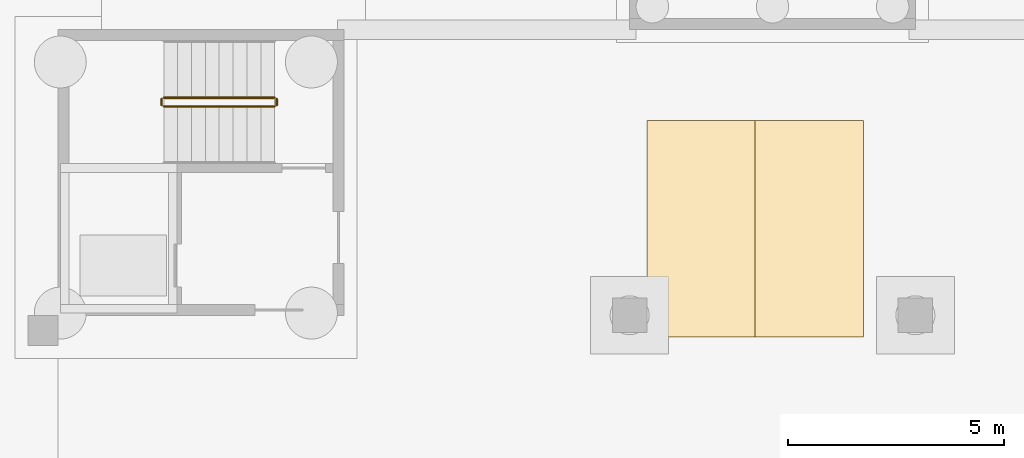
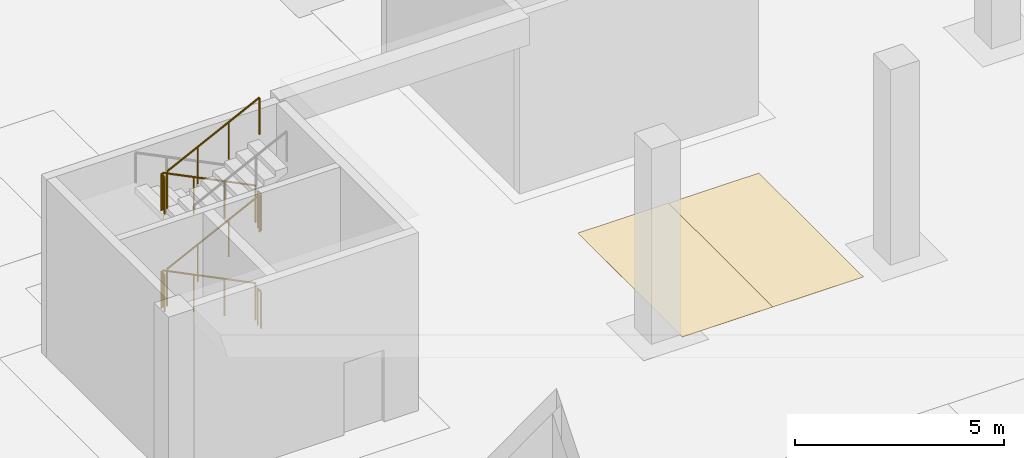
# One storey, part 29 of 38: 8 railings, 2 coverings.
"""IFC4 building model written with IfcOpenShell, lengths in metres."""

from ifc_helpers import new_model, si_unit, direction, frame, origin, origin_2d, place, context, subcontext, project, spatial, polyline, circle, outline, extrude, material, layer, layer_set, type_object, element, save


model = new_model("IFC4")

# Units and contexts
model_context = context("Model", 3, precision=1e-05, world=origin(), true_north=direction((0.0, 1.0)))
body_context = subcontext(model_context, "Body", "Model", "MODEL_VIEW")
ifc_project = project(units=[si_unit("LENGTHUNIT", "METRE"), si_unit("AREAUNIT", "SQUARE_METRE"), si_unit("VOLUMEUNIT", "CUBIC_METRE"), si_unit("PLANEANGLEUNIT", "RADIAN"), si_unit("MASSUNIT", "GRAM", prefix="KILO")], contexts=[model_context])

# Site, building, storey
site_placement = place(None, origin())
site = spatial("IfcSite", under=ifc_project, at=site_placement, CompositionType="ELEMENT")
building_placement = place(site_placement, origin())
building = spatial("IfcBuilding", under=site, at=building_placement, Name="Lantern Court Research Institute", CompositionType="ELEMENT")
storey_placement = place(building_placement, frame((0.0, 0.0, -5.699951171875)))
storey = spatial("IfcBuildingStorey", under=building, at=storey_placement, Name="B1", CompositionType="ELEMENT", Elevation=-5.699951171875)

# Coverings
ifc_material_1 = material(Name="Thermoplastic road marking paint")
ifc_layer = layer(ifc_material_1, 0.0029296875)
ifc_layer_set = layer_set([ifc_layer], Name="Thermoplastic road marking paint")
covering_type = type_object("IfcCoveringType", Name="Parking bay marking", PredefinedType="FLOORING", material=ifc_layer_set)
covering_1_placement = place(storey_placement, origin())
element("IfcCovering", 1, at=covering_1_placement, inside=storey, type_object=covering_type, Name="Parking bay marking 078", PredefinedType="FLOORING", context=body_context, shape_type="SweptSolid", body=[
    extrude(outline(polyline([(53.199951171875, 49.0), (55.699951171875, 49.0), (55.699951171875, 54.0), (53.199951171875, 54.0), (53.199951171875, 49.0)])), origin(), (0.0, 0.0, 1.0), 0.0029296875),
])
covering_2_placement = place(storey_placement, origin())
element("IfcCovering", 2, at=covering_2_placement, inside=storey, type_object=covering_type, Name="Parking bay marking 079", PredefinedType="FLOORING", context=body_context, shape_type="SweptSolid", body=[
    extrude(outline(polyline([(55.699951171875, 49.0), (58.199951171875, 49.0), (58.199951171875, 54.0), (55.699951171875, 54.0), (55.699951171875, 49.0)])), origin(), (0.0, 0.0, 1.0), 0.0029296875),
])

# Railings
ifc_material_2 = material(Name="Structural steel S355", Category="steel")
railing_type = type_object("IfcRailingType", Name="Stair guard 1100 steel", PredefinedType="GUARDRAIL", material=ifc_material_2)
railing_1_placement = place(storey_placement, frame((44.60009765625, 54.52490234375, 0.158203125)))
element("IfcRailing", 3, at=railing_1_placement, inside=storey, type_object=railing_type, Name="B1 ST-H1 stair guard 1", PredefinedType="GUARDRAIL", context=body_context, shape_type="SweptSolid", body=[
    extrude(circle(Radius=0.02392578125, at=origin_2d()), frame((0.0, 0.0, 1.076171875), z_axis=(-0.896265777717, 0.0, 0.443517367974), x_axis=(0.0, -1.0, 0.0)), (0.0, 0.0, 1.0), 2.8564453125),
    extrude(circle(Radius=0.02099609375, at=origin_2d()), origin(), (0.0, 0.0, 1.0), 1.052001953125),
    extrude(circle(Radius=0.02099609375, at=origin_2d()), frame((-0.853271484375, 0.0, 0.42236328125)), (0.0, 0.0, 1.0), 1.052001953125),
    extrude(circle(Radius=0.02099609375, at=origin_2d()), frame((-1.706787109375, 0.0, 0.844482421875)), (0.0, 0.0, 1.0), 1.052001953125),
    extrude(circle(Radius=0.02099609375, at=origin_2d()), frame((-2.56005859375, 0.0, 1.266845703125)), (0.0, 0.0, 1.0), 1.052001953125),
])
railing_2_placement = place(storey_placement, frame((41.989990234375, 54.5, 1.425048828125)))
element("IfcRailing", 4, at=railing_2_placement, inside=storey, type_object=railing_type, Name="B1 ST-H1 stair guard 2", PredefinedType="GUARDRAIL", context=body_context, shape_type="SweptSolid", body=[
    extrude(circle(Radius=0.02392578125, at=origin_2d()), frame((0.0, 0.0, 1.076171875), z_axis=(0.0, -1.0, 0.0), x_axis=(1.0, 0.0, 0.0)), (0.0, 0.0, 1.0), 0.14990234375),
    extrude(circle(Radius=0.02099609375, at=origin_2d()), origin(), (0.0, 0.0, 1.0), 1.052001953125),
    extrude(circle(Radius=0.02099609375, at=origin_2d()), frame((0.0, -0.14990234375, 0.0)), (0.0, 0.0, 1.0), 1.052001953125),
])
railing_3_placement = place(storey_placement, frame((42.0400390625, 54.324951171875, 1.583251953125)))
element("IfcRailing", 5, at=railing_3_placement, inside=storey, type_object=railing_type, Name="B1 ST-H1 stair guard 3", PredefinedType="GUARDRAIL", context=body_context, shape_type="SweptSolid", body=[
    extrude(circle(Radius=0.02392578125, at=origin_2d()), frame((0.0, 0.0, 1.076171875), z_axis=(0.896299752543, 0.0, 0.443448704577), x_axis=(0.0, 1.0, 0.0)), (0.0, 0.0, 1.0), 2.856201171875),
    extrude(circle(Radius=0.02099609375, at=origin_2d()), origin(), (0.0, 0.0, 1.0), 1.052001953125),
    extrude(circle(Radius=0.02099609375, at=origin_2d()), frame((0.853271484375, 0.0, 0.422119140625)), (0.0, 0.0, 1.0), 1.052001953125),
    extrude(circle(Radius=0.02099609375, at=origin_2d()), frame((1.706787109375, 0.0, 0.844482421875)), (0.0, 0.0, 1.0), 1.052001953125),
    extrude(circle(Radius=0.02099609375, at=origin_2d()), frame((2.56005859375, 0.0, 1.2666015625)), (0.0, 0.0, 1.0), 1.052001953125),
])
railing_4_placement = place(storey_placement, frame((44.64990234375, 54.5, 2.849853515625)))
element("IfcRailing", 6, at=railing_4_placement, inside=storey, type_object=railing_type, Name="B1 ST-H1 stair guard 4", PredefinedType="GUARDRAIL", context=body_context, shape_type="SweptSolid", body=[
    extrude(circle(Radius=0.02392578125, at=origin_2d()), frame((0.0, 0.0, 1.076171875), z_axis=(0.0, -1.0, 0.0), x_axis=(1.0, 0.0, 0.0)), (0.0, 0.0, 1.0), 0.14990234375),
    extrude(circle(Radius=0.02099609375, at=origin_2d()), origin(), (0.0, 0.0, 1.0), 1.052001953125),
    extrude(circle(Radius=0.02099609375, at=origin_2d()), frame((0.0, -0.14990234375, 0.0)), (0.0, 0.0, 1.0), 1.052001953125),
])
railing_5_placement = place(storey_placement, frame((44.60009765625, 54.52490234375, 3.00830078125)))
element("IfcRailing", 7, at=railing_5_placement, inside=storey, type_object=railing_type, Name="B1 ST-H1 stair guard 5", PredefinedType="GUARDRAIL", context=body_context, shape_type="SweptSolid", body=[
    extrude(circle(Radius=0.02392578125, at=origin_2d()), frame((0.0, 0.0, 1.076171875), z_axis=(-0.896299752543, 0.0, 0.443448704577), x_axis=(0.0, -1.0, 0.0)), (0.0, 0.0, 1.0), 2.856201171875),
    extrude(circle(Radius=0.02099609375, at=origin_2d()), origin(), (0.0, 0.0, 1.0), 1.052001953125),
    extrude(circle(Radius=0.02099609375, at=origin_2d()), frame((-0.853271484375, 0.0, 0.422119140625)), (0.0, 0.0, 1.0), 1.052001953125),
    extrude(circle(Radius=0.02099609375, at=origin_2d()), frame((-1.706787109375, 0.0, 0.844482421875)), (0.0, 0.0, 1.0), 1.052001953125),
    extrude(circle(Radius=0.02099609375, at=origin_2d()), frame((-2.56005859375, 0.0, 1.2666015625)), (0.0, 0.0, 1.0), 1.052001953125),
])
railing_6_placement = place(storey_placement, frame((41.989990234375, 54.5, 4.27490234375)))
element("IfcRailing", 8, at=railing_6_placement, inside=storey, type_object=railing_type, Name="B1 ST-H1 stair guard 6", PredefinedType="GUARDRAIL", context=body_context, shape_type="SweptSolid", body=[
    extrude(circle(Radius=0.02392578125, at=origin_2d()), frame((0.0, 0.0, 1.076171875), z_axis=(0.0, -1.0, 0.0), x_axis=(1.0, 0.0, 0.0)), (0.0, 0.0, 1.0), 0.14990234375),
    extrude(circle(Radius=0.02099609375, at=origin_2d()), origin(), (0.0, 0.0, 1.0), 1.052001953125),
    extrude(circle(Radius=0.02099609375, at=origin_2d()), frame((0.0, -0.14990234375, 0.0)), (0.0, 0.0, 1.0), 1.052001953125),
])
railing_7_placement = place(storey_placement, frame((42.0400390625, 54.324951171875, 4.433349609375)))
element("IfcRailing", 9, at=railing_7_placement, inside=storey, type_object=railing_type, Name="B1 ST-H1 stair guard 7", PredefinedType="GUARDRAIL", context=body_context, shape_type="SweptSolid", body=[
    extrude(circle(Radius=0.02392578125, at=origin_2d()), frame((0.0, 0.0, 1.076171875), z_axis=(0.896299752543, 0.0, 0.443448704577), x_axis=(0.0, 1.0, 0.0)), (0.0, 0.0, 1.0), 2.856201171875),
    extrude(circle(Radius=0.02099609375, at=origin_2d()), origin(), (0.0, 0.0, 1.0), 1.052001953125),
    extrude(circle(Radius=0.02099609375, at=origin_2d()), frame((0.853271484375, 0.0, 0.422119140625)), (0.0, 0.0, 1.0), 1.052001953125),
    extrude(circle(Radius=0.02099609375, at=origin_2d()), frame((1.706787109375, 0.0, 0.844482421875)), (0.0, 0.0, 1.0), 1.052001953125),
    extrude(circle(Radius=0.02099609375, at=origin_2d()), frame((2.56005859375, 0.0, 1.2666015625)), (0.0, 0.0, 1.0), 1.052001953125),
])
railing_8_placement = place(storey_placement, frame((44.64990234375, 54.5, 0.0)))
element("IfcRailing", 10, at=railing_8_placement, inside=storey, type_object=railing_type, Name="B1 ST-H1 stair guard 8", PredefinedType="GUARDRAIL", context=body_context, shape_type="SweptSolid", body=[
    extrude(circle(Radius=0.02392578125, at=origin_2d()), frame((0.0, 0.0, 1.076171875), z_axis=(0.0, -1.0, 0.0), x_axis=(1.0, 0.0, 0.0)), (0.0, 0.0, 1.0), 0.14990234375),
    extrude(circle(Radius=0.02099609375, at=origin_2d()), origin(), (0.0, 0.0, 1.0), 1.052001953125),
    extrude(circle(Radius=0.02099609375, at=origin_2d()), frame((0.0, -0.14990234375, 0.0)), (0.0, 0.0, 1.0), 1.052001953125),
])

save(model, "model.ifc")
